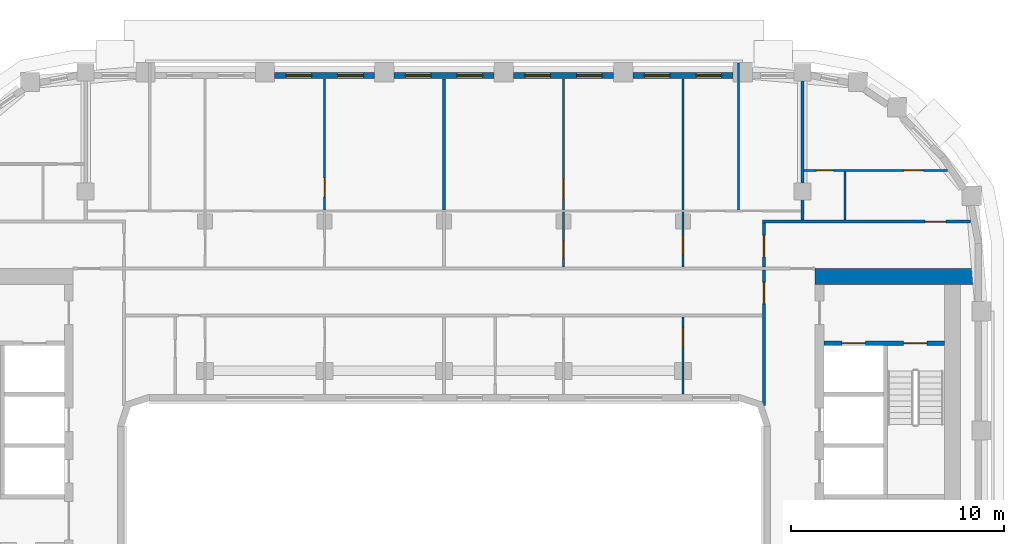
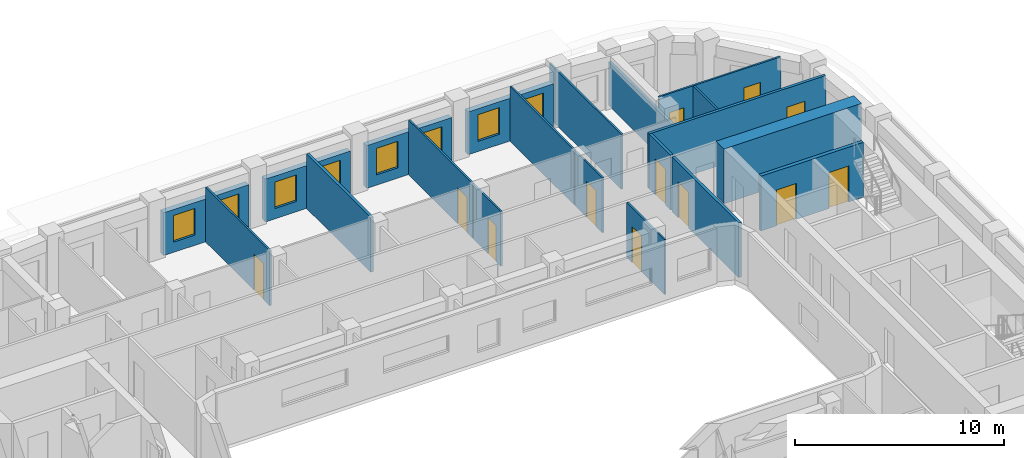
# One storey, part 8 of 21: 20 walls, 12 doors, 8 windows, 20 openings.
"""IFC4 building model written with IfcOpenShell, lengths in metres."""

from ifc_helpers import new_model, si_unit, direction, frame, frame_2d, origin, place, context, subcontext, project, spatial, rectangle, extrude, material, layer, layer_set, type_object, element, fill, save


model = new_model("IFC4")

# Units and contexts
model_context = context("Model", 3, precision=1e-05, world=origin(), true_north=direction((0.0, 1.0)))
body_context = subcontext(model_context, "Body", "Model", "MODEL_VIEW")
ifc_project = project(units=[si_unit("LENGTHUNIT", "METRE"), si_unit("AREAUNIT", "SQUARE_METRE"), si_unit("VOLUMEUNIT", "CUBIC_METRE"), si_unit("PLANEANGLEUNIT", "RADIAN"), si_unit("MASSUNIT", "GRAM", prefix="KILO")], contexts=[model_context])

# Site, building, storey
site_placement = place(None, origin())
site = spatial("IfcSite", under=ifc_project, at=site_placement, CompositionType="ELEMENT")
building_placement = place(site_placement, origin())
building = spatial("IfcBuilding", under=site, at=building_placement, Name="Kiln Ring Residences", CompositionType="ELEMENT")
storey_placement = place(building_placement, frame((0.0, 0.0, 199.39990234375)))
storey = spatial("IfcBuildingStorey", under=building, at=storey_placement, Name="L51", CompositionType="ELEMENT", Elevation=199.39990234375)

# Wall, openings, doors
ifc_material_1 = material(Name="Concrete C40/50", Category="concrete")
ifc_layer_1 = layer(ifc_material_1, 0.199951171875)
ifc_layer_set_1 = layer_set([ifc_layer_1], Name="CORE-WALL-RC200")
wall_type_1 = type_object("IfcWallType", Name="CORE-WALL-RC200", PredefinedType="SHEAR", material=ifc_layer_set_1)
wall_1_placement = place(storey_placement, frame((17.800048828125, 9.699951171875, 0.0), z_axis=(0.0, 0.0, 1.0), x_axis=(1.0, 0.0, 0.0)))
wall_1 = element("IfcWall", 1, at=wall_1_placement, inside=storey, type_object=wall_type_1, Name="Core wall east L51 9", PredefinedType="SHEAR", context=body_context, shape_type="SweptSolid", body=[
    extrude(rectangle(XDim=5.64990234375, YDim=0.199951171875, at=frame_2d((2.824951171875, 0.0))), origin(), (0.0, 0.0, 1.0), 3.2001953125),
])
opening_1_placement = place(wall_1_placement, frame((0.85009765625, 0.0, 0.0)))
opening_1 = element("IfcOpeningElement", 2, at=opening_1_placement, cuts=wall_1, Name="Opening L51-CE06", PredefinedType="OPENING", context=body_context, shape_type="SweptSolid", body=[
    extrude(rectangle(XDim=1.10009765625, YDim=2.10009765625, at=frame_2d((0.550048828125, 1.050048828125))), frame((0.0, 0.10986328125, 0.0), z_axis=(0.0, -1.0, 0.0), x_axis=(1.0, 0.0, 0.0)), (0.0, 0.0, 1.0), 0.219970703125),
])
opening_2_placement = place(wall_1_placement, frame((3.75, 0.0, 0.0)))
opening_2 = element("IfcOpeningElement", 3, at=opening_2_placement, cuts=wall_1, Name="Opening L51-CE09", PredefinedType="OPENING", context=body_context, shape_type="SweptSolid", body=[
    extrude(rectangle(XDim=1.10009765625, YDim=2.10009765625, at=frame_2d((0.550048828125, 1.050048828125))), frame((0.0, 0.10986328125, 0.0), z_axis=(0.0, -1.0, 0.0), x_axis=(1.0, 0.0, 0.0)), (0.0, 0.0, 1.0), 0.219970703125),
])
ifc_material_2 = material(Name="Steel door leaf", Category="steel")
door_type_1 = type_object("IfcDoorType", Name="CORE-DOOR-LD", OperationType="DOUBLE_DOOR_SLIDING", PredefinedType="DOOR", material=ifc_material_2)
door_1_placement = place(opening_1_placement, origin())
door_1 = element("IfcDoor", 4, at=door_1_placement, inside=storey, type_object=door_type_1, Name="LD E-FF L51-CE06", OperationType="DOUBLE_DOOR_SLIDING", OverallHeight=2.10009765625, OverallWidth=1.10009765625, PredefinedType="DOOR", context=body_context, shape_type="SweptSolid", body=[
    extrude(rectangle(XDim=1.10009765625, YDim=2.10009765625, at=frame_2d((0.550048828125, 1.050048828125))), frame((0.0, 0.02490234375, 0.0), z_axis=(0.0, -1.0, 0.0), x_axis=(1.0, 0.0, 0.0)), (0.0, 0.0, 1.0), 0.050048828125),
])
fill(opening_1, door_1)
ifc_material_3 = material(Name="Steel door leaf", Category="steel")
door_type_2 = type_object("IfcDoorType", Name="CORE-DOOR-STAIR", OperationType="SINGLE_SWING_LEFT", PredefinedType="DOOR", material=ifc_material_3)
door_2_placement = place(opening_2_placement, origin())
door_2 = element("IfcDoor", 5, at=door_2_placement, inside=storey, type_object=door_type_2, Name="Stair E-STN L51-CE09", OperationType="SINGLE_SWING_RIGHT", OverallHeight=2.10009765625, OverallWidth=1.10009765625, PredefinedType="DOOR", context=body_context, shape_type="SweptSolid", body=[
    extrude(rectangle(XDim=1.10009765625, YDim=2.10009765625, at=frame_2d((0.550048828125, 1.050048828125))), frame((0.0, 0.02490234375, 0.0), z_axis=(0.0, -1.0, 0.0), x_axis=(1.0, 0.0, 0.0)), (0.0, 0.0, 1.0), 0.050048828125),
])
fill(opening_2, door_2)

# Wall
ifc_material_4 = material(Name="Concrete C60/75", Category="concrete")
ifc_layer_2 = layer(ifc_material_4, 0.75)
ifc_layer_set_2 = layer_set([ifc_layer_2], Name="CORE-WALL-RC750")
wall_type_2 = type_object("IfcWallType", Name="CORE-WALL-RC750", PredefinedType="SHEAR", material=ifc_layer_set_2)
wall_2_placement = place(storey_placement, frame((17.39990234375, 12.824951171875, 0.0), z_axis=(0.0, 0.0, 1.0), x_axis=(1.0, 0.0, 0.0)))
element("IfcWall", 6, at=wall_2_placement, inside=storey, type_object=wall_type_2, Name="Core wall east L51 4", PredefinedType="SHEAR", context=body_context, shape_type="SweptSolid", body=[
    extrude(rectangle(XDim=7.60009765625, YDim=0.75, at=frame_2d((3.800048828125, 0.0))), origin(), (0.0, 0.0, 1.0), 3.2001953125),
])

# Wall, openings, windows
ifc_material_5 = material(Name="Brick masonry, dark clay brick", Category="masonry")
ifc_layer_3 = layer(ifc_material_5, 0.300048828125)
ifc_layer_set_3 = layer_set([ifc_layer_3], Name="EW-300 BRICK WALL")
wall_type_3 = type_object("IfcWallType", Name="EW-300 BRICK WALL", PredefinedType="SOLIDWALL", material=ifc_layer_set_3)
wall_3_placement = place(storey_placement, frame((13.550048828125, 22.25, 0.0), z_axis=(0.0, 0.0, 1.0), x_axis=(-1.0, 0.0, 0.0)))
wall_3 = element("IfcWall", 7, at=wall_3_placement, inside=storey, type_object=wall_type_3, Name="Facade wall L51 28", PredefinedType="SOLIDWALL", context=body_context, shape_type="SweptSolid", body=[
    extrude(rectangle(XDim=4.699951171875, YDim=0.300048828125, at=frame_2d((2.35009765625, 0.0))), origin(), (0.0, 0.0, 1.0), 2.5),
])
opening_3_placement = place(wall_3_placement, frame((0.53759765625, 0.0, 0.60009765625)))
opening_3 = element("IfcOpeningElement", 8, at=opening_3_placement, cuts=wall_3, Name="Opening W1", PredefinedType="OPENING", context=body_context, shape_type="SweptSolid", body=[
    extrude(rectangle(XDim=1.199951171875, YDim=1.550048828125, at=frame_2d((0.60009765625, 0.77490234375))), frame((0.0, 0.159912109375, 0.0), z_axis=(0.0, -1.0, 0.0), x_axis=(1.0, 0.0, 0.0)), (0.0, 0.0, 1.0), 0.320068359375),
])
opening_4_placement = place(wall_3_placement, frame((2.96240234375, 0.0, 0.60009765625)))
opening_4 = element("IfcOpeningElement", 9, at=opening_4_placement, cuts=wall_3, Name="Opening W1", PredefinedType="OPENING", context=body_context, shape_type="SweptSolid", body=[
    extrude(rectangle(XDim=1.199951171875, YDim=1.550048828125, at=frame_2d((0.60009765625, 0.77490234375))), frame((0.0, 0.159912109375, 0.0), z_axis=(0.0, -1.0, 0.0), x_axis=(1.0, 0.0, 0.0)), (0.0, 0.0, 1.0), 0.320068359375),
])
ifc_material_6 = material(Name="Aluminium frame with double glazing", Category="aluminium")
window_type = type_object("IfcWindowType", Name="WINDOW 1200 x 1550", PartitioningType="SINGLE_PANEL", PredefinedType="WINDOW", material=ifc_material_6)
window_1_placement = place(opening_3_placement, origin())
window_1 = element("IfcWindow", 10, at=window_1_placement, inside=storey, type_object=window_type, Name="Window L51 20", OverallHeight=1.550048828125, OverallWidth=1.199951171875, PartitioningType="SINGLE_PANEL", PredefinedType="WINDOW", context=body_context, shape_type="SweptSolid", body=[
    extrude(rectangle(XDim=1.199951171875, YDim=1.550048828125, at=frame_2d((0.60009765625, 0.77490234375))), frame((0.0, 0.030029296875, 0.0), z_axis=(0.0, -1.0, 0.0), x_axis=(1.0, 0.0, 0.0)), (0.0, 0.0, 1.0), 0.06005859375),
])
fill(opening_3, window_1)
window_2_placement = place(opening_4_placement, origin())
window_2 = element("IfcWindow", 11, at=window_2_placement, inside=storey, type_object=window_type, Name="Window L51 21", OverallHeight=1.550048828125, OverallWidth=1.199951171875, PartitioningType="SINGLE_PANEL", PredefinedType="WINDOW", context=body_context, shape_type="SweptSolid", body=[
    extrude(rectangle(XDim=1.199951171875, YDim=1.550048828125, at=frame_2d((0.60009765625, 0.77490234375))), frame((0.0, 0.030029296875, 0.0), z_axis=(0.0, -1.0, 0.0), x_axis=(1.0, 0.0, 0.0)), (0.0, 0.0, 1.0), 0.06005859375),
])
fill(opening_4, window_2)

wall_4_placement = place(storey_placement, frame((7.949951171875, 22.25, 0.0), z_axis=(0.0, 0.0, 1.0), x_axis=(-1.0, 0.0, 0.0)))
wall_4 = element("IfcWall", 12, at=wall_4_placement, inside=storey, type_object=wall_type_3, Name="Facade wall L51 29", PredefinedType="SOLIDWALL", context=body_context, shape_type="SweptSolid", body=[
    extrude(rectangle(XDim=4.699951171875, YDim=0.300048828125, at=frame_2d((2.35009765625, 0.0))), origin(), (0.0, 0.0, 1.0), 2.5),
])
opening_5_placement = place(wall_4_placement, frame((0.53759765625, 0.0, 0.60009765625)))
opening_5 = element("IfcOpeningElement", 13, at=opening_5_placement, cuts=wall_4, Name="Opening W1", PredefinedType="OPENING", context=body_context, shape_type="SweptSolid", body=[
    extrude(rectangle(XDim=1.199951171875, YDim=1.550048828125, at=frame_2d((0.60009765625, 0.77490234375))), frame((0.0, 0.159912109375, 0.0), z_axis=(0.0, -1.0, 0.0), x_axis=(1.0, 0.0, 0.0)), (0.0, 0.0, 1.0), 0.320068359375),
])
opening_6_placement = place(wall_4_placement, frame((2.96240234375, 0.0, 0.60009765625)))
opening_6 = element("IfcOpeningElement", 14, at=opening_6_placement, cuts=wall_4, Name="Opening W1", PredefinedType="OPENING", context=body_context, shape_type="SweptSolid", body=[
    extrude(rectangle(XDim=1.199951171875, YDim=1.550048828125, at=frame_2d((0.60009765625, 0.77490234375))), frame((0.0, 0.159912109375, 0.0), z_axis=(0.0, -1.0, 0.0), x_axis=(1.0, 0.0, 0.0)), (0.0, 0.0, 1.0), 0.320068359375),
])
window_3_placement = place(opening_5_placement, origin())
window_3 = element("IfcWindow", 15, at=window_3_placement, inside=storey, type_object=window_type, Name="Window L51 22", OverallHeight=1.550048828125, OverallWidth=1.199951171875, PartitioningType="SINGLE_PANEL", PredefinedType="WINDOW", context=body_context, shape_type="SweptSolid", body=[
    extrude(rectangle(XDim=1.199951171875, YDim=1.550048828125, at=frame_2d((0.60009765625, 0.77490234375))), frame((0.0, 0.030029296875, 0.0), z_axis=(0.0, -1.0, 0.0), x_axis=(1.0, 0.0, 0.0)), (0.0, 0.0, 1.0), 0.06005859375),
])
fill(opening_5, window_3)
window_4_placement = place(opening_6_placement, origin())
window_4 = element("IfcWindow", 16, at=window_4_placement, inside=storey, type_object=window_type, Name="Window L51 23", OverallHeight=1.550048828125, OverallWidth=1.199951171875, PartitioningType="SINGLE_PANEL", PredefinedType="WINDOW", context=body_context, shape_type="SweptSolid", body=[
    extrude(rectangle(XDim=1.199951171875, YDim=1.550048828125, at=frame_2d((0.60009765625, 0.77490234375))), frame((0.0, 0.030029296875, 0.0), z_axis=(0.0, -1.0, 0.0), x_axis=(1.0, 0.0, 0.0)), (0.0, 0.0, 1.0), 0.06005859375),
])
fill(opening_6, window_4)

wall_5_placement = place(storey_placement, frame((2.35009765625, 22.25, 0.0), z_axis=(0.0, 0.0, 1.0), x_axis=(-1.0, 0.0, 0.0)))
wall_5 = element("IfcWall", 17, at=wall_5_placement, inside=storey, type_object=wall_type_3, Name="Facade wall L51 30", PredefinedType="SOLIDWALL", context=body_context, shape_type="SweptSolid", body=[
    extrude(rectangle(XDim=4.7001953125, YDim=0.300048828125, at=frame_2d((2.35009765625, 0.0))), origin(), (0.0, 0.0, 1.0), 2.5),
])
opening_7_placement = place(wall_5_placement, frame((0.53759765625, 0.0, 0.60009765625)))
opening_7 = element("IfcOpeningElement", 18, at=opening_7_placement, cuts=wall_5, Name="Opening W1", PredefinedType="OPENING", context=body_context, shape_type="SweptSolid", body=[
    extrude(rectangle(XDim=1.199951171875, YDim=1.550048828125, at=frame_2d((0.60009765625, 0.77490234375))), frame((0.0, 0.159912109375, 0.0), z_axis=(0.0, -1.0, 0.0), x_axis=(1.0, 0.0, 0.0)), (0.0, 0.0, 1.0), 0.320068359375),
])
opening_8_placement = place(wall_5_placement, frame((2.96240234375, 0.0, 0.60009765625)))
opening_8 = element("IfcOpeningElement", 19, at=opening_8_placement, cuts=wall_5, Name="Opening W1", PredefinedType="OPENING", context=body_context, shape_type="SweptSolid", body=[
    extrude(rectangle(XDim=1.199951171875, YDim=1.550048828125, at=frame_2d((0.60009765625, 0.77490234375))), frame((0.0, 0.159912109375, 0.0), z_axis=(0.0, -1.0, 0.0), x_axis=(1.0, 0.0, 0.0)), (0.0, 0.0, 1.0), 0.320068359375),
])
window_5_placement = place(opening_7_placement, origin())
window_5 = element("IfcWindow", 20, at=window_5_placement, inside=storey, type_object=window_type, Name="Window L51 24", OverallHeight=1.550048828125, OverallWidth=1.199951171875, PartitioningType="SINGLE_PANEL", PredefinedType="WINDOW", context=body_context, shape_type="SweptSolid", body=[
    extrude(rectangle(XDim=1.199951171875, YDim=1.550048828125, at=frame_2d((0.60009765625, 0.77490234375))), frame((0.0, 0.030029296875, 0.0), z_axis=(0.0, -1.0, 0.0), x_axis=(1.0, 0.0, 0.0)), (0.0, 0.0, 1.0), 0.06005859375),
])
fill(opening_7, window_5)
window_6_placement = place(opening_8_placement, origin())
window_6 = element("IfcWindow", 21, at=window_6_placement, inside=storey, type_object=window_type, Name="Window L51 25", OverallHeight=1.550048828125, OverallWidth=1.199951171875, PartitioningType="SINGLE_PANEL", PredefinedType="WINDOW", context=body_context, shape_type="SweptSolid", body=[
    extrude(rectangle(XDim=1.199951171875, YDim=1.550048828125, at=frame_2d((0.60009765625, 0.77490234375))), frame((0.0, 0.030029296875, 0.0), z_axis=(0.0, -1.0, 0.0), x_axis=(1.0, 0.0, 0.0)), (0.0, 0.0, 1.0), 0.06005859375),
])
fill(opening_8, window_6)

wall_6_placement = place(storey_placement, frame((-3.25, 22.25, 0.0), z_axis=(0.0, 0.0, 1.0), x_axis=(-1.0, 0.0, 0.0)))
wall_6 = element("IfcWall", 22, at=wall_6_placement, inside=storey, type_object=wall_type_3, Name="Facade wall L51 31", PredefinedType="SOLIDWALL", context=body_context, shape_type="SweptSolid", body=[
    extrude(rectangle(XDim=4.699951171875, YDim=0.300048828125, at=frame_2d((2.35009765625, 0.0))), origin(), (0.0, 0.0, 1.0), 2.5),
])
opening_9_placement = place(wall_6_placement, frame((0.53759765625, 0.0, 0.60009765625)))
opening_9 = element("IfcOpeningElement", 23, at=opening_9_placement, cuts=wall_6, Name="Opening W1", PredefinedType="OPENING", context=body_context, shape_type="SweptSolid", body=[
    extrude(rectangle(XDim=1.199951171875, YDim=1.550048828125, at=frame_2d((0.60009765625, 0.77490234375))), frame((0.0, 0.159912109375, 0.0), z_axis=(0.0, -1.0, 0.0), x_axis=(1.0, 0.0, 0.0)), (0.0, 0.0, 1.0), 0.320068359375),
])
opening_10_placement = place(wall_6_placement, frame((2.96240234375, 0.0, 0.60009765625)))
opening_10 = element("IfcOpeningElement", 24, at=opening_10_placement, cuts=wall_6, Name="Opening W1", PredefinedType="OPENING", context=body_context, shape_type="SweptSolid", body=[
    extrude(rectangle(XDim=1.199951171875, YDim=1.550048828125, at=frame_2d((0.60009765625, 0.77490234375))), frame((0.0, 0.159912109375, 0.0), z_axis=(0.0, -1.0, 0.0), x_axis=(1.0, 0.0, 0.0)), (0.0, 0.0, 1.0), 0.320068359375),
])
window_7_placement = place(opening_9_placement, origin())
window_7 = element("IfcWindow", 25, at=window_7_placement, inside=storey, type_object=window_type, Name="Window L51 26", OverallHeight=1.550048828125, OverallWidth=1.199951171875, PartitioningType="SINGLE_PANEL", PredefinedType="WINDOW", context=body_context, shape_type="SweptSolid", body=[
    extrude(rectangle(XDim=1.199951171875, YDim=1.550048828125, at=frame_2d((0.60009765625, 0.77490234375))), frame((0.0, 0.030029296875, 0.0), z_axis=(0.0, -1.0, 0.0), x_axis=(1.0, 0.0, 0.0)), (0.0, 0.0, 1.0), 0.06005859375),
])
fill(opening_9, window_7)
window_8_placement = place(opening_10_placement, origin())
window_8 = element("IfcWindow", 26, at=window_8_placement, inside=storey, type_object=window_type, Name="Window L51 27", OverallHeight=1.550048828125, OverallWidth=1.199951171875, PartitioningType="SINGLE_PANEL", PredefinedType="WINDOW", context=body_context, shape_type="SweptSolid", body=[
    extrude(rectangle(XDim=1.199951171875, YDim=1.550048828125, at=frame_2d((0.60009765625, 0.77490234375))), frame((0.0, 0.030029296875, 0.0), z_axis=(0.0, -1.0, 0.0), x_axis=(1.0, 0.0, 0.0)), (0.0, 0.0, 1.0), 0.06005859375),
])
fill(opening_10, window_8)

# Wall, openings, doors
ifc_material_7 = material(Name="Gypsum board on steel studs", Category="steel")
ifc_layer_4 = layer(ifc_material_7, 0.10009765625)
ifc_layer_set_4 = layer_set([ifc_layer_4], Name="PARTITION-100")
wall_type_4 = type_object("IfcWallType", Name="PARTITION-100", PredefinedType="PARTITIONING", material=ifc_layer_set_4)
wall_7_placement = place(storey_placement, frame((16.875, 17.800048828125, 0.0), z_axis=(0.0, 0.0, 1.0), x_axis=(1.0, 0.0, 0.0)))
wall_7 = element("IfcWall", 27, at=wall_7_placement, inside=storey, type_object=wall_type_4, Name="Partition 012", PredefinedType="PARTITIONING", context=body_context, shape_type="SweptSolid", body=[
    extrude(rectangle(XDim=6.718994140625, YDim=0.10009765625, at=frame_2d((3.359375, 0.0))), origin(), (0.0, 0.0, 1.0), 3.2001953125),
])
opening_11_placement = place(wall_7_placement, frame((0.574951171875, 0.0, 0.0)))
opening_11 = element("IfcOpeningElement", 28, at=opening_11_placement, cuts=wall_7, Name="Opening L51-D032", PredefinedType="OPENING", context=body_context, shape_type="SweptSolid", body=[
    extrude(rectangle(XDim=0.800048828125, YDim=2.10009765625, at=frame_2d((0.39990234375, 1.050048828125))), frame((0.0, 0.06005859375, 0.0), z_axis=(0.0, -1.0, 0.0), x_axis=(1.0, 0.0, 0.0)), (0.0, 0.0, 1.0), 0.1201171875),
])
opening_12_placement = place(wall_7_placement, frame((4.693115234375, 0.0, 0.0)))
opening_12 = element("IfcOpeningElement", 29, at=opening_12_placement, cuts=wall_7, Name="Opening L51-D033", PredefinedType="OPENING", context=body_context, shape_type="SweptSolid", body=[
    extrude(rectangle(XDim=0.89990234375, YDim=2.10009765625, at=frame_2d((0.449951171875, 1.050048828125))), frame((0.0, 0.06005859375, 0.0), z_axis=(0.0, -1.0, 0.0), x_axis=(1.0, 0.0, 0.0)), (0.0, 0.0, 1.0), 0.1201171875),
])
ifc_material_8 = material(Name="Timber door leaf", Category="wood")
door_type_3 = type_object("IfcDoorType", Name="FLAT-DOOR-800-PL", OperationType="SINGLE_SWING_LEFT", PredefinedType="DOOR", material=ifc_material_8)
door_3_placement = place(opening_11_placement, origin())
door_3 = element("IfcDoor", 30, at=door_3_placement, inside=storey, type_object=door_type_3, Name="Door L51-D032", OperationType="SINGLE_SWING_RIGHT", OverallHeight=2.10009765625, OverallWidth=0.800048828125, PredefinedType="DOOR", context=body_context, shape_type="SweptSolid", body=[
    extrude(rectangle(XDim=0.800048828125, YDim=2.10009765625, at=frame_2d((0.39990234375, 1.050048828125))), frame((0.0, 0.02490234375, 0.0), z_axis=(0.0, -1.0, 0.0), x_axis=(1.0, 0.0, 0.0)), (0.0, 0.0, 1.0), 0.050048828125),
])
fill(opening_11, door_3)
ifc_material_9 = material(Name="Timber door leaf", Category="wood")
door_type_4 = type_object("IfcDoorType", Name="FLAT-DOOR-900-PL", OperationType="SINGLE_SWING_LEFT", PredefinedType="DOOR", material=ifc_material_9)
door_4_placement = place(opening_12_placement, origin())
door_4 = element("IfcDoor", 31, at=door_4_placement, inside=storey, type_object=door_type_4, Name="Door L51-D033", OperationType="SINGLE_SWING_LEFT", OverallHeight=2.10009765625, OverallWidth=0.89990234375, PredefinedType="DOOR", context=body_context, shape_type="SweptSolid", body=[
    extrude(rectangle(XDim=0.89990234375, YDim=2.10009765625, at=frame_2d((0.449951171875, 1.050048828125))), frame((0.0, 0.02490234375, 0.0), z_axis=(0.0, -1.0, 0.0), x_axis=(1.0, 0.0, 0.0)), (0.0, 0.0, 1.0), 0.050048828125),
])
fill(opening_12, door_4)

# Wall, opening, door
wall_8_placement = place(storey_placement, frame((-5.60009765625, 15.949951171875, 0.0), z_axis=(0.0, 0.0, 1.0), x_axis=(0.0, 1.0, 0.0)))
wall_8 = element("IfcWall", 32, at=wall_8_placement, inside=storey, type_object=wall_type_4, Name="Partition 036", PredefinedType="PARTITIONING", context=body_context, shape_type="SweptSolid", body=[
    extrude(rectangle(XDim=6.130126953125, YDim=0.10009765625, at=frame_2d((3.06494140625, 0.0))), origin(), (0.0, 0.0, 1.0), 3.2001953125),
])
opening_13_placement = place(wall_8_placement, frame((0.60009765625, 0.0, 0.0)))
opening_13 = element("IfcOpeningElement", 33, at=opening_13_placement, cuts=wall_8, Name="Opening L51-D023", PredefinedType="OPENING", context=body_context, shape_type="SweptSolid", body=[
    extrude(rectangle(XDim=0.89990234375, YDim=2.10009765625, at=frame_2d((0.449951171875, 1.050048828125))), frame((0.0, 0.06005859375, 0.0), z_axis=(0.0, -1.0, 0.0), x_axis=(1.0, 0.0, 0.0)), (0.0, 0.0, 1.0), 0.1201171875),
])
door_5_placement = place(opening_13_placement, origin())
door_5 = element("IfcDoor", 34, at=door_5_placement, inside=storey, type_object=door_type_4, Name="Door L51-D023", OperationType="SINGLE_SWING_LEFT", OverallHeight=2.10009765625, OverallWidth=0.89990234375, PredefinedType="DOOR", context=body_context, shape_type="SweptSolid", body=[
    extrude(rectangle(XDim=0.89990234375, YDim=2.10009765625, at=frame_2d((0.449951171875, 1.050048828125))), frame((0.0, 0.02490234375, 0.0), z_axis=(0.0, -1.0, 0.0), x_axis=(1.0, 0.0, 0.0)), (0.0, 0.0, 1.0), 0.050048828125),
])
fill(opening_13, door_5)

wall_9_placement = place(storey_placement, frame((5.60009765625, 13.27490234375, 0.0), z_axis=(0.0, 0.0, 1.0), x_axis=(0.0, 1.0, 0.0)))
wall_9 = element("IfcWall", 35, at=wall_9_placement, inside=storey, type_object=wall_type_4, Name="Partition 048", PredefinedType="PARTITIONING", context=body_context, shape_type="SweptSolid", body=[
    extrude(rectangle(XDim=2.5751953125, YDim=0.10009765625, at=frame_2d((1.28759765625, 0.0))), origin(), (0.0, 0.0, 1.0), 3.2001953125),
])
opening_14_placement = place(wall_9_placement, frame((0.425048828125, 0.0, 0.0)))
opening_14 = element("IfcOpeningElement", 36, at=opening_14_placement, cuts=wall_9, Name="Opening L51-D026", PredefinedType="OPENING", context=body_context, shape_type="SweptSolid", body=[
    extrude(rectangle(XDim=0.800048828125, YDim=2.10009765625, at=frame_2d((0.39990234375, 1.050048828125))), frame((0.0, 0.06005859375, 0.0), z_axis=(0.0, -1.0, 0.0), x_axis=(1.0, 0.0, 0.0)), (0.0, 0.0, 1.0), 0.1201171875),
])
door_6_placement = place(opening_14_placement, origin())
door_6 = element("IfcDoor", 37, at=door_6_placement, inside=storey, type_object=door_type_3, Name="Door L51-D026", OperationType="SINGLE_SWING_RIGHT", OverallHeight=2.10009765625, OverallWidth=0.800048828125, PredefinedType="DOOR", context=body_context, shape_type="SweptSolid", body=[
    extrude(rectangle(XDim=0.800048828125, YDim=2.10009765625, at=frame_2d((0.39990234375, 1.050048828125))), frame((0.0, 0.02490234375, 0.0), z_axis=(0.0, -1.0, 0.0), x_axis=(1.0, 0.0, 0.0)), (0.0, 0.0, 1.0), 0.050048828125),
])
fill(opening_14, door_6)

wall_10_placement = place(storey_placement, frame((5.60009765625, 15.949951171875, 0.0), z_axis=(0.0, 0.0, 1.0), x_axis=(0.0, 1.0, 0.0)))
wall_10 = element("IfcWall", 38, at=wall_10_placement, inside=storey, type_object=wall_type_4, Name="Partition 049", PredefinedType="PARTITIONING", context=body_context, shape_type="SweptSolid", body=[
    extrude(rectangle(XDim=6.130126953125, YDim=0.10009765625, at=frame_2d((3.06494140625, 0.0))), origin(), (0.0, 0.0, 1.0), 3.2001953125),
])
opening_15_placement = place(wall_10_placement, frame((0.56005859375, 0.0, 0.0)))
opening_15 = element("IfcOpeningElement", 39, at=opening_15_placement, cuts=wall_10, Name="Opening L51-D030", PredefinedType="OPENING", context=body_context, shape_type="SweptSolid", body=[
    extrude(rectangle(XDim=0.89990234375, YDim=2.10009765625, at=frame_2d((0.449951171875, 1.050048828125))), frame((0.0, 0.06005859375, 0.0), z_axis=(0.0, -1.0, 0.0), x_axis=(1.0, 0.0, 0.0)), (0.0, 0.0, 1.0), 0.1201171875),
])
door_7_placement = place(opening_15_placement, origin())
door_7 = element("IfcDoor", 40, at=door_7_placement, inside=storey, type_object=door_type_4, Name="Door L51-D030", OperationType="SINGLE_SWING_RIGHT", OverallHeight=2.10009765625, OverallWidth=0.89990234375, PredefinedType="DOOR", context=body_context, shape_type="SweptSolid", body=[
    extrude(rectangle(XDim=0.89990234375, YDim=2.10009765625, at=frame_2d((0.449951171875, 1.050048828125))), frame((0.0, 0.02490234375, 0.0), z_axis=(0.0, -1.0, 0.0), x_axis=(1.0, 0.0, 0.0)), (0.0, 0.0, 1.0), 0.050048828125),
])
fill(opening_15, door_7)

wall_11_placement = place(storey_placement, frame((11.199951171875, 7.320068359375, 0.0), z_axis=(0.0, 0.0, 1.0), x_axis=(0.0, 1.0, 0.0)))
wall_11 = element("IfcWall", 41, at=wall_11_placement, inside=storey, type_object=wall_type_4, Name="Partition 053", PredefinedType="PARTITIONING", context=body_context, shape_type="SweptSolid", body=[
    extrude(rectangle(XDim=3.60498046875, YDim=0.10009765625, at=frame_2d((1.802490234375, 0.0))), origin(), (0.0, 0.0, 1.0), 3.2001953125),
])
opening_16_placement = place(wall_11_placement, frame((2.199951171875, 0.0, 0.0)))
opening_16 = element("IfcOpeningElement", 42, at=opening_16_placement, cuts=wall_11, Name="Opening L51-D016", PredefinedType="OPENING", context=body_context, shape_type="SweptSolid", body=[
    extrude(rectangle(XDim=0.89990234375, YDim=2.10009765625, at=frame_2d((0.449951171875, 1.050048828125))), frame((0.0, 0.06005859375, 0.0), z_axis=(0.0, -1.0, 0.0), x_axis=(1.0, 0.0, 0.0)), (0.0, 0.0, 1.0), 0.1201171875),
])
door_8_placement = place(opening_16_placement, origin())
door_8 = element("IfcDoor", 43, at=door_8_placement, inside=storey, type_object=door_type_4, Name="Door L51-D016", OperationType="SINGLE_SWING_RIGHT", OverallHeight=2.10009765625, OverallWidth=0.89990234375, PredefinedType="DOOR", context=body_context, shape_type="SweptSolid", body=[
    extrude(rectangle(XDim=0.89990234375, YDim=2.10009765625, at=frame_2d((0.449951171875, 1.050048828125))), frame((0.0, 0.02490234375, 0.0), z_axis=(0.0, -1.0, 0.0), x_axis=(1.0, 0.0, 0.0)), (0.0, 0.0, 1.0), 0.050048828125),
])
fill(opening_16, door_8)

wall_12_placement = place(storey_placement, frame((11.199951171875, 13.27490234375, 0.0), z_axis=(0.0, 0.0, 1.0), x_axis=(0.0, 1.0, 0.0)))
wall_12 = element("IfcWall", 44, at=wall_12_placement, inside=storey, type_object=wall_type_4, Name="Partition 054", PredefinedType="PARTITIONING", context=body_context, shape_type="SweptSolid", body=[
    extrude(rectangle(XDim=2.5751953125, YDim=0.10009765625, at=frame_2d((1.28759765625, 0.0))), origin(), (0.0, 0.0, 1.0), 3.2001953125),
])
opening_17_placement = place(wall_12_placement, frame((0.574951171875, 0.0, 0.0)))
opening_17 = element("IfcOpeningElement", 45, at=opening_17_placement, cuts=wall_12, Name="Opening L51-D025", PredefinedType="OPENING", context=body_context, shape_type="SweptSolid", body=[
    extrude(rectangle(XDim=0.89990234375, YDim=2.10009765625, at=frame_2d((0.449951171875, 1.050048828125))), frame((0.0, 0.06005859375, 0.0), z_axis=(0.0, -1.0, 0.0), x_axis=(1.0, 0.0, 0.0)), (0.0, 0.0, 1.0), 0.1201171875),
])
door_9_placement = place(opening_17_placement, origin())
door_9 = element("IfcDoor", 46, at=door_9_placement, inside=storey, type_object=door_type_4, Name="Door L51-D025", OperationType="SINGLE_SWING_RIGHT", OverallHeight=2.10009765625, OverallWidth=0.89990234375, PredefinedType="DOOR", context=body_context, shape_type="SweptSolid", body=[
    extrude(rectangle(XDim=0.89990234375, YDim=2.10009765625, at=frame_2d((0.449951171875, 1.050048828125))), frame((0.0, 0.02490234375, 0.0), z_axis=(0.0, -1.0, 0.0), x_axis=(1.0, 0.0, 0.0)), (0.0, 0.0, 1.0), 0.050048828125),
])
fill(opening_17, door_9)

# Walls
wall_13_placement = place(storey_placement, frame((11.199951171875, 15.949951171875, 0.0), z_axis=(0.0, 0.0, 1.0), x_axis=(0.0, 1.0, 0.0)))
element("IfcWall", 47, at=wall_13_placement, inside=storey, type_object=wall_type_4, Name="Partition 055", PredefinedType="PARTITIONING", context=body_context, shape_type="SweptSolid", body=[
    extrude(rectangle(XDim=6.130126953125, YDim=0.10009765625, at=frame_2d((3.06494140625, 0.0))), origin(), (0.0, 0.0, 1.0), 3.2001953125),
])
wall_14_placement = place(storey_placement, frame((13.800048828125, 15.949951171875, 0.0), z_axis=(0.0, 0.0, 1.0), x_axis=(0.0, 1.0, 0.0)))
element("IfcWall", 48, at=wall_14_placement, inside=storey, type_object=wall_type_4, Name="Partition 057", PredefinedType="PARTITIONING", context=body_context, shape_type="SweptSolid", body=[
    extrude(rectangle(XDim=6.880126953125, YDim=0.10009765625, at=frame_2d((3.43994140625, 0.0))), origin(), (0.0, 0.0, 1.0), 3.2001953125),
])
wall_15_placement = place(storey_placement, frame((18.800048828125, 15.47509765625, 0.0), z_axis=(0.0, 0.0, 1.0), x_axis=(0.0, 1.0, 0.0)))
element("IfcWall", 49, at=wall_15_placement, inside=storey, type_object=wall_type_4, Name="Partition 065", PredefinedType="PARTITIONING", context=body_context, shape_type="SweptSolid", body=[
    extrude(rectangle(XDim=2.27490234375, YDim=0.10009765625, at=frame_2d((1.137451171875, 0.0))), origin(), (0.0, 0.0, 1.0), 3.2001953125),
])

# Wall, opening, door
ifc_material_10 = material(Name="Brick masonry partition", Category="masonry")
ifc_layer_5 = layer(ifc_material_10, 0.14990234375)
ifc_layer_set_5 = layer_set([ifc_layer_5], Name="PARTITION-150-ei60")
wall_type_5 = type_object("IfcWallType", Name="PARTITION-150-ei60", PredefinedType="PARTITIONING", material=ifc_layer_set_5)
wall_16_placement = place(storey_placement, frame((14.925048828125, 15.39990234375, 0.0), z_axis=(0.0, 0.0, 1.0), x_axis=(1.0, 0.0, 0.0)))
wall_16 = element("IfcWall", 50, at=wall_16_placement, inside=storey, type_object=wall_type_5, Name="Partition 010", PredefinedType="PARTITIONING", context=body_context, shape_type="SweptSolid", body=[
    extrude(rectangle(XDim=9.7587890625, YDim=0.14990234375, at=frame_2d((4.87939453125, 0.0))), origin(), (0.0, 0.0, 1.0), 3.2001953125),
])
opening_18_placement = place(wall_16_placement, frame((7.615966796875, 0.0, 0.0)))
opening_18 = element("IfcOpeningElement", 51, at=opening_18_placement, cuts=wall_16, Name="Opening L51-D031", PredefinedType="OPENING", context=body_context, shape_type="SweptSolid", body=[
    extrude(rectangle(XDim=1.0, YDim=2.10009765625, at=frame_2d((0.5, 1.050048828125))), frame((0.0, 0.0849609375, 0.0), z_axis=(0.0, -1.0, 0.0), x_axis=(1.0, 0.0, 0.0)), (0.0, 0.0, 1.0), 0.169921875),
])
ifc_material_11 = material(Name="Steel faced fire door leaf", Category="steel")
door_type_5 = type_object("IfcDoorType", Name="FLAT-DOOR-1000-FR", OperationType="SINGLE_SWING_LEFT", PredefinedType="DOOR", material=ifc_material_11)
door_10_placement = place(opening_18_placement, origin())
door_10 = element("IfcDoor", 52, at=door_10_placement, inside=storey, type_object=door_type_5, Name="Door L51-D031", OperationType="SINGLE_SWING_LEFT", OverallHeight=2.10009765625, OverallWidth=1.0, PredefinedType="DOOR", context=body_context, shape_type="SweptSolid", body=[
    extrude(rectangle(XDim=1.0, YDim=2.10009765625, at=frame_2d((0.5, 1.050048828125))), frame((0.0, 0.02490234375, 0.0), z_axis=(0.0, -1.0, 0.0), x_axis=(1.0, 0.0, 0.0)), (0.0, 0.0, 1.0), 0.050048828125),
])
fill(opening_18, door_10)

# Wall
wall_17_placement = place(storey_placement, frame((0.0, 15.949951171875, 0.0), z_axis=(0.0, 0.0, 1.0), x_axis=(0.0, 1.0, 0.0)))
element("IfcWall", 53, at=wall_17_placement, inside=storey, type_object=wall_type_5, Name="Partition 042", PredefinedType="PARTITIONING", context=body_context, shape_type="SweptSolid", body=[
    extrude(rectangle(XDim=6.130126953125, YDim=0.14990234375, at=frame_2d((3.06494140625, 0.0))), origin(), (0.0, 0.0, 1.0), 3.2001953125),
])

# Wall, opening, door
wall_18_placement = place(storey_placement, frame((15.0, 6.768798828125, 0.0), z_axis=(0.0, 0.0, 1.0), x_axis=(0.0, 1.0, 0.0)))
wall_18 = element("IfcWall", 54, at=wall_18_placement, inside=storey, type_object=wall_type_5, Name="Partition 060", PredefinedType="PARTITIONING", context=body_context, shape_type="SweptSolid", body=[
    extrude(rectangle(XDim=6.356201171875, YDim=0.14990234375, at=frame_2d((3.17822265625, 0.0))), origin(), (0.0, 0.0, 1.0), 3.2001953125),
])
opening_19_placement = place(wall_18_placement, frame((4.78125, 0.0, 0.0)))
opening_19 = element("IfcOpeningElement", 55, at=opening_19_placement, cuts=wall_18, Name="Opening L51-D002", PredefinedType="OPENING", context=body_context, shape_type="SweptSolid", body=[
    extrude(rectangle(XDim=1.0, YDim=2.10009765625, at=frame_2d((0.5, 1.050048828125))), frame((0.0, 0.0849609375, 0.0), z_axis=(0.0, -1.0, 0.0), x_axis=(1.0, 0.0, 0.0)), (0.0, 0.0, 1.0), 0.169921875),
])
door_11_placement = place(opening_19_placement, origin())
door_11 = element("IfcDoor", 56, at=door_11_placement, inside=storey, type_object=door_type_5, Name="Door L51-D002", OperationType="SINGLE_SWING_LEFT", OverallHeight=2.10009765625, OverallWidth=1.0, PredefinedType="DOOR", context=body_context, shape_type="SweptSolid", body=[
    extrude(rectangle(XDim=1.0, YDim=2.10009765625, at=frame_2d((0.5, 1.050048828125))), frame((0.0, 0.02490234375, 0.0), z_axis=(0.0, -1.0, 0.0), x_axis=(1.0, 0.0, 0.0)), (0.0, 0.0, 1.0), 0.050048828125),
])
fill(opening_19, door_11)

wall_19_placement = place(storey_placement, frame((15.0, 13.27490234375, 0.0), z_axis=(0.0, 0.0, 1.0), x_axis=(0.0, 1.0, 0.0)))
wall_19 = element("IfcWall", 57, at=wall_19_placement, inside=storey, type_object=wall_type_5, Name="Partition 061", PredefinedType="PARTITIONING", context=body_context, shape_type="SweptSolid", body=[
    extrude(rectangle(XDim=2.050048828125, YDim=0.14990234375, at=frame_2d((1.02490234375, 0.0))), origin(), (0.0, 0.0, 1.0), 3.2001953125),
])
opening_20_placement = place(wall_19_placement, frame((0.47607421875, 0.0, 0.0)))
opening_20 = element("IfcOpeningElement", 58, at=opening_20_placement, cuts=wall_19, Name="Opening L51-D024", PredefinedType="OPENING", context=body_context, shape_type="SweptSolid", body=[
    extrude(rectangle(XDim=1.0, YDim=2.10009765625, at=frame_2d((0.5, 1.050048828125))), frame((0.0, 0.0849609375, 0.0), z_axis=(0.0, -1.0, 0.0), x_axis=(1.0, 0.0, 0.0)), (0.0, 0.0, 1.0), 0.169921875),
])
door_12_placement = place(opening_20_placement, origin())
door_12 = element("IfcDoor", 59, at=door_12_placement, inside=storey, type_object=door_type_5, Name="Door L51-D024", OperationType="SINGLE_SWING_RIGHT", OverallHeight=2.10009765625, OverallWidth=1.0, PredefinedType="DOOR", context=body_context, shape_type="SweptSolid", body=[
    extrude(rectangle(XDim=1.0, YDim=2.10009765625, at=frame_2d((0.5, 1.050048828125))), frame((0.0, 0.02490234375, 0.0), z_axis=(0.0, -1.0, 0.0), x_axis=(1.0, 0.0, 0.0)), (0.0, 0.0, 1.0), 0.050048828125),
])
fill(opening_20, door_12)

# Wall
wall_20_placement = place(storey_placement, frame((16.800048828125, 15.47509765625, 0.0), z_axis=(0.0, 0.0, 1.0), x_axis=(0.0, 1.0, 0.0)))
element("IfcWall", 60, at=wall_20_placement, inside=storey, type_object=wall_type_5, Name="Partition 063", PredefinedType="PARTITIONING", context=body_context, shape_type="SweptSolid", body=[
    extrude(rectangle(XDim=6.8349609375, YDim=0.14990234375, at=frame_2d((3.41748046875, 0.0))), origin(), (0.0, 0.0, 1.0), 2.550048828125),
])

save(model, "model.ifc")
